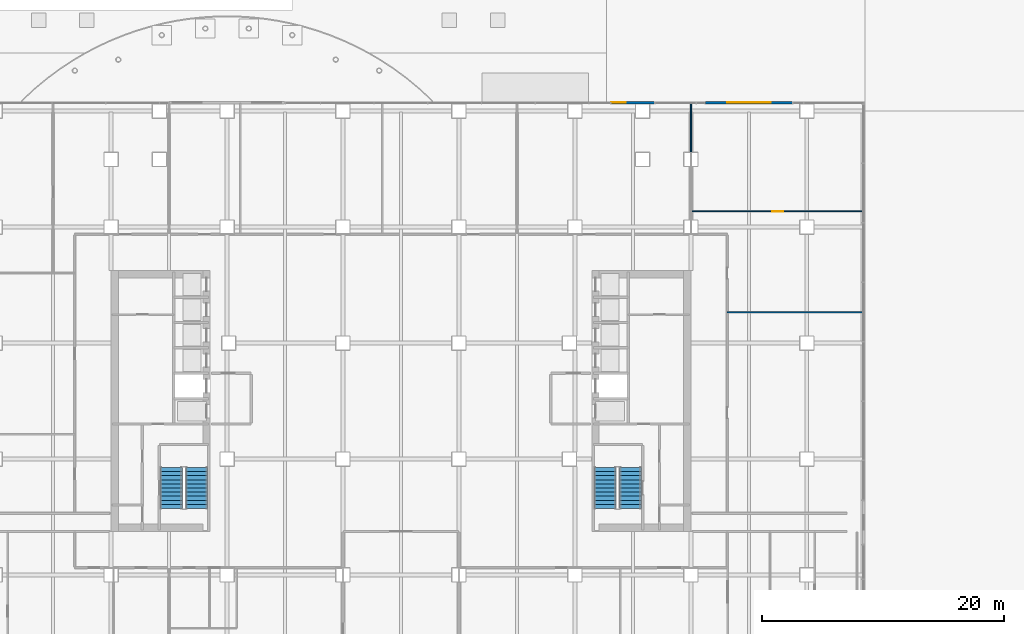
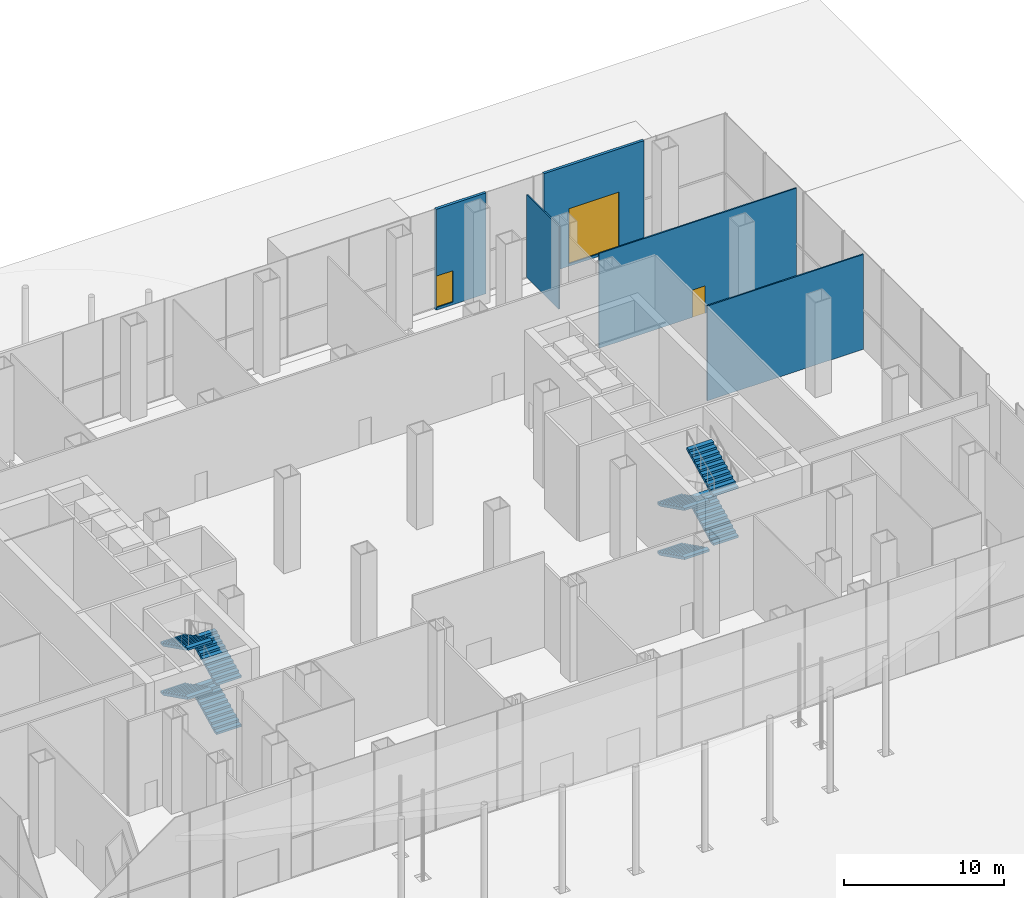
# One storey, part 30 of 36: 8 stair flights, 5 walls, 3 doors, 3 openings, 2 elements without a shape of their own.
"""IFC4 building model written with IfcOpenShell, lengths in metres."""

from ifc_helpers import new_model, si_unit, direction, frame, frame_2d, origin, place, context, subcontext, project, spatial, polyline, rectangle, outline, extrude, material, layer, layer_set, type_object, element, fill, aggregate, save


model = new_model("IFC4")

# Units and contexts
model_context = context("Model", 3, precision=1e-05, world=origin(), true_north=direction((0.0, 1.0)))
body_context = subcontext(model_context, "Body", "Model", "MODEL_VIEW")
ifc_project = project(units=[si_unit("LENGTHUNIT", "METRE"), si_unit("AREAUNIT", "SQUARE_METRE"), si_unit("VOLUMEUNIT", "CUBIC_METRE"), si_unit("PLANEANGLEUNIT", "RADIAN"), si_unit("MASSUNIT", "GRAM", prefix="KILO")], contexts=[model_context])

# Site, building, storey
site_placement = place(None, origin())
site = spatial("IfcSite", under=ifc_project, at=site_placement, CompositionType="ELEMENT")
building_placement = place(site_placement, origin())
building = spatial("IfcBuilding", under=site, at=building_placement, Name="Cobrizo Arcos Hotel Tower", CompositionType="ELEMENT")
storey_placement = place(building_placement, origin())
storey = spatial("IfcBuildingStorey", under=building, at=storey_placement, Name="L00", CompositionType="ELEMENT", Elevation=0.0)

# Wall, opening, door
ifc_material_1 = material(Name="Aluminium 6063-T6 anodised pale", Category="aluminium")
ifc_layer_1 = layer(ifc_material_1, 0.199951171875)
ifc_layer_set_1 = layer_set([ifc_layer_1], Name="EW-2 shopfront wall")
wall_type_1 = type_object("IfcWallType", Name="EW-2 shopfront wall", PredefinedType="SOLIDWALL", material=ifc_layer_set_1)
wall_1_placement = place(storey_placement, frame((32.39990234375, 24.699951171875, -0.199951171875), z_axis=(0.0, 0.0, 1.0), x_axis=(-1.0, 0.0, 0.0)))
wall_1 = element("IfcWall", 1, at=wall_1_placement, inside=storey, type_object=wall_type_1, Name="Entrance wall L00 N", PredefinedType="SOLIDWALL", context=body_context, shape_type="SweptSolid", body=[
    extrude(rectangle(XDim=7.199951171875, YDim=0.199951171875, at=frame_2d((3.60009765625, 0.0))), origin(), (0.0, 0.0, 1.0), 7.699951171875),
])
opening_1_placement = place(wall_1_placement, frame((1.800048828125, 0.0, 0.199951171875)))
opening_1 = element("IfcOpeningElement", 2, at=opening_1_placement, cuts=wall_1, Name="Opening E-02", PredefinedType="OPENING", context=body_context, shape_type="SweptSolid", body=[
    extrude(rectangle(XDim=3.60009765625, YDim=4.199951171875, at=frame_2d((1.800048828125, 2.10009765625))), frame((0.0, 0.112060546875, 0.0), z_axis=(0.0, -1.0, 0.0), x_axis=(1.0, 0.0, 0.0)), (0.0, 0.0, 1.0), 0.223876953125),
])
ifc_material_2 = material(Name="Aluminium 6063-T6 and clear laminated glass", Category="aluminium")
door_type_1 = type_object("IfcDoorType", Name="D-L1 loading roller door 3600x4200", OperationType="ROLLINGUP", PredefinedType="GATE", material=ifc_material_2)
door_1_placement = place(opening_1_placement, origin())
door_1 = element("IfcDoor", 3, at=door_1_placement, inside=storey, type_object=door_type_1, Name="Entrance wall L00 N door E-02", OperationType="ROLLINGUP", OverallHeight=4.199951171875, OverallWidth=3.60009765625, PredefinedType="GATE", context=body_context, shape_type="SweptSolid", body=[
    extrude(rectangle(XDim=3.60009765625, YDim=4.199951171875, at=frame_2d((1.800048828125, 2.10009765625))), frame((0.0, 0.02490234375, 0.0), z_axis=(0.0, -1.0, 0.0), x_axis=(1.0, 0.0, 0.0)), (0.0, 0.0, 1.0), 0.050048828125),
])
fill(opening_1, door_1)

wall_2_placement = place(storey_placement, frame((21.0, 24.699951171875, -0.199951171875), z_axis=(0.0, 0.0, 1.0), x_axis=(-1.0, 0.0, 0.0)))
wall_2 = element("IfcWall", 4, at=wall_2_placement, inside=storey, type_object=wall_type_1, Name="Entrance wall L00 N", PredefinedType="SOLIDWALL", context=body_context, shape_type="SweptSolid", body=[
    extrude(rectangle(XDim=3.60009765625, YDim=0.199951171875, at=frame_2d((1.800048828125, 0.0))), origin(), (0.0, 0.0, 1.0), 7.699951171875),
])
opening_2_placement = place(wall_2_placement, frame((2.39990234375, 0.0, 0.199951171875)))
opening_2 = element("IfcOpeningElement", 5, at=opening_2_placement, cuts=wall_2, Name="Opening E-03", PredefinedType="OPENING", context=body_context, shape_type="SweptSolid", body=[
    extrude(rectangle(XDim=1.199951171875, YDim=2.39990234375, at=frame_2d((0.60009765625, 1.199951171875))), frame((0.0, 0.112060546875, 0.0), z_axis=(0.0, -1.0, 0.0), x_axis=(1.0, 0.0, 0.0)), (0.0, 0.0, 1.0), 0.223876953125),
])
door_type_2 = type_object("IfcDoorType", Name="D-S1 staff door 1200x2400", OperationType="SINGLE_SWING_LEFT", PredefinedType="DOOR", material=ifc_material_2)
door_2_placement = place(opening_2_placement, origin())
door_2 = element("IfcDoor", 6, at=door_2_placement, inside=storey, type_object=door_type_2, Name="Entrance wall L00 N door E-03", OperationType="SINGLE_SWING_LEFT", OverallHeight=2.39990234375, OverallWidth=1.199951171875, PredefinedType="DOOR", context=body_context, shape_type="SweptSolid", body=[
    extrude(rectangle(XDim=1.199951171875, YDim=2.39990234375, at=frame_2d((0.60009765625, 1.199951171875))), frame((0.0, 0.02490234375, 0.0), z_axis=(0.0, -1.0, 0.0), x_axis=(1.0, 0.0, 0.0)), (0.0, 0.0, 1.0), 0.050048828125),
])
fill(opening_2, door_2)

# Wall
ifc_material_3 = material(Name="Gypsum board partition")
ifc_layer_2 = layer(ifc_material_3, 0.10009765625)
ifc_layer_set_2 = layer_set([ifc_layer_2], Name="Partition EI 30 100")
wall_type_2 = type_object("IfcWallType", Name="Partition EI 30 100", PredefinedType="PARTITIONING", material=ifc_layer_set_2)
wall_3_placement = place(storey_placement, frame((27.0, 7.35009765625, 0.0), z_axis=(0.0, 0.0, 1.0), x_axis=(1.0, 0.0, 0.0)))
element("IfcWall", 7, at=wall_3_placement, inside=storey, type_object=wall_type_2, Name="Partition 032", PredefinedType="PARTITIONING", context=body_context, shape_type="SweptSolid", body=[
    extrude(rectangle(XDim=11.280029296875, YDim=0.10009765625, at=frame_2d((5.64013671875, 0.0))), origin(), (0.0, 0.0, 1.0), 7.25),
])

# Wall, opening, door
wall_4_placement = place(storey_placement, frame((24.0, 15.699951171875, 0.0), z_axis=(0.0, 0.0, 1.0), x_axis=(1.0, 0.0, 0.0)))
wall_4 = element("IfcWall", 8, at=wall_4_placement, inside=storey, type_object=wall_type_2, Name="Partition 037", PredefinedType="PARTITIONING", context=body_context, shape_type="SweptSolid", body=[
    extrude(rectangle(XDim=14.280029296875, YDim=0.10009765625, at=frame_2d((7.14013671875, 0.0))), origin(), (0.0, 0.0, 1.0), 7.25),
])
opening_3_placement = place(wall_4_placement, frame((6.75, 0.0, 0.0)))
opening_3 = element("IfcOpeningElement", 9, at=opening_3_placement, cuts=wall_4, Name="Opening RD-20", PredefinedType="OPENING", context=body_context, shape_type="SweptSolid", body=[
    extrude(rectangle(XDim=0.89990234375, YDim=2.10009765625, at=frame_2d((0.449951171875, 1.050048828125))), frame((0.0, 0.06201171875, 0.0), z_axis=(0.0, -1.0, 0.0), x_axis=(1.0, 0.0, 0.0)), (0.0, 0.0, 1.0), 0.1240234375),
])
ifc_material_4 = material(Name="Timber door leaf", Category="wood")
door_type_3 = type_object("IfcDoorType", Name="Room door FD30 900x2100", OperationType="SINGLE_SWING_LEFT", PredefinedType="DOOR", material=ifc_material_4)
door_3_placement = place(opening_3_placement, origin())
door_3 = element("IfcDoor", 10, at=door_3_placement, inside=storey, type_object=door_type_3, Name="Door RD-20", OperationType="SINGLE_SWING_LEFT", OverallHeight=2.10009765625, OverallWidth=0.89990234375, PredefinedType="DOOR", context=body_context, shape_type="SweptSolid", body=[
    extrude(rectangle(XDim=0.89990234375, YDim=2.10009765625, at=frame_2d((0.449951171875, 1.050048828125))), frame((0.0, 0.02490234375, 0.0), z_axis=(0.0, -1.0, 0.0), x_axis=(1.0, 0.0, 0.0)), (0.0, 0.0, 1.0), 0.050048828125),
])
fill(opening_3, door_3)

# Wall
wall_5_placement = place(storey_placement, frame((24.0, 20.60009765625, 0.0), z_axis=(0.0, 0.0, 1.0), x_axis=(0.0, 1.0, 0.0)))
element("IfcWall", 11, at=wall_5_placement, inside=storey, type_object=wall_type_2, Name="Partition 078", PredefinedType="PARTITIONING", context=body_context, shape_type="SweptSolid", body=[
    extrude(rectangle(XDim=4.02978515625, YDim=0.10009765625, at=frame_2d((2.014892578125, 0.0))), origin(), (0.0, 0.0, 1.0), 6.322998046875),
])

# Stair, stair flights
ifc_material_5 = material(Name="Concrete f'c 40 MPa", Category="concrete")
stair_type = type_object("IfcStairType", Name="Exit stair", PredefinedType="HALF_TURN_STAIR", material=ifc_material_5)
stair_1_placement = place(storey_placement, origin())
stair_1 = element("IfcStair", 12, at=stair_1_placement, inside=storey, type_object=stair_type, Name="L00 Exit stair ST-W", PredefinedType="HALF_TURN_STAIR")
stair_flight_type = type_object("IfcStairFlightType", Name="Exit stair flight", PredefinedType="STRAIGHT", material=ifc_material_5)
stair_flight_1_placement = place(storey_placement, frame((-16.89990234375, -8.89990234375, 0.0), z_axis=(0.0, 0.0, 1.0), x_axis=(0.0, 1.0, 0.0)))
stair_flight_1 = element("IfcStairFlight", 13, at=stair_flight_1_placement, type_object=stair_flight_type, Name="ST-W flight 1", NumberOfRisers=11, NumberOfTreads=10, PredefinedType="STRAIGHT", RiserHeight=0.170454545, TreadLength=0.34, context=body_context, shape_type="SweptSolid", body=[
    extrude(outline(polyline([(0.0, 0.0), (0.0, 0.17041015625), (0.340087890625, 0.17041015625), (0.340087890625, 0.3408203125), (0.679931640625, 0.3408203125), (0.679931640625, 0.511474609375), (1.02001953125, 0.511474609375), (1.02001953125, 0.681884765625), (1.360107421875, 0.681884765625), (1.360107421875, 0.852294921875), (1.699951171875, 0.852294921875), (1.699951171875, 1.022705078125), (2.0400390625, 1.022705078125), (2.0400390625, 1.193115234375), (2.3798828125, 1.193115234375), (2.3798828125, 1.363525390625), (2.719970703125, 1.363525390625), (2.719970703125, 1.5341796875), (3.06005859375, 1.5341796875), (3.06005859375, 1.70458984375), (3.39990234375, 1.70458984375), (3.39990234375, 1.875), (3.39990234375, 1.536865234375), (0.33447265625, 0.0), (0.0, 0.0)])), frame((0.0, 0.89990234375, 0.0), z_axis=(0.0, -1.0, 0.0), x_axis=(1.0, 0.0, 0.0)), (0.0, 0.0, 1.0), 1.800048828125),
])
stair_flight_2_placement = place(storey_placement, frame((-19.0, -5.5, 1.875), z_axis=(0.0, 0.0, 1.0), x_axis=(0.0, -1.0, 0.0)))
stair_flight_2 = element("IfcStairFlight", 14, at=stair_flight_2_placement, type_object=stair_flight_type, Name="ST-W flight 2", NumberOfRisers=11, NumberOfTreads=10, PredefinedType="STRAIGHT", RiserHeight=0.170454545, TreadLength=0.34, context=body_context, shape_type="SweptSolid", body=[
    extrude(outline(polyline([(0.0, 0.0), (0.0, 0.17041015625), (0.340087890625, 0.17041015625), (0.340087890625, 0.3408203125), (0.679931640625, 0.3408203125), (0.679931640625, 0.511474609375), (1.02001953125, 0.511474609375), (1.02001953125, 0.681884765625), (1.360107421875, 0.681884765625), (1.360107421875, 0.852294921875), (1.699951171875, 0.852294921875), (1.699951171875, 1.022705078125), (2.0400390625, 1.022705078125), (2.0400390625, 1.193115234375), (2.3798828125, 1.193115234375), (2.3798828125, 1.363525390625), (2.719970703125, 1.363525390625), (2.719970703125, 1.5341796875), (3.06005859375, 1.5341796875), (3.06005859375, 1.70458984375), (3.39990234375, 1.70458984375), (3.39990234375, 1.875), (3.39990234375, 1.536865234375), (0.33447265625, 0.0), (0.0, 0.0)])), frame((0.0, 0.89990234375, 0.0), z_axis=(0.0, -1.0, 0.0), x_axis=(1.0, 0.0, 0.0)), (0.0, 0.0, 1.0), 1.800048828125),
])
stair_flight_3_placement = place(storey_placement, frame((-16.89990234375, -8.89990234375, 3.75), z_axis=(0.0, 0.0, 1.0), x_axis=(0.0, 1.0, 0.0)))
stair_flight_3 = element("IfcStairFlight", 15, at=stair_flight_3_placement, type_object=stair_flight_type, Name="ST-W flight 3", NumberOfRisers=11, NumberOfTreads=10, PredefinedType="STRAIGHT", RiserHeight=0.170454545, TreadLength=0.34, context=body_context, shape_type="SweptSolid", body=[
    extrude(outline(polyline([(0.0, 0.0), (0.0, 0.17041015625), (0.340087890625, 0.17041015625), (0.340087890625, 0.3408203125), (0.679931640625, 0.3408203125), (0.679931640625, 0.511474609375), (1.02001953125, 0.511474609375), (1.02001953125, 0.681884765625), (1.360107421875, 0.681884765625), (1.360107421875, 0.852294921875), (1.699951171875, 0.852294921875), (1.699951171875, 1.022705078125), (2.0400390625, 1.022705078125), (2.0400390625, 1.193115234375), (2.3798828125, 1.193115234375), (2.3798828125, 1.363525390625), (2.719970703125, 1.363525390625), (2.719970703125, 1.5341796875), (3.06005859375, 1.5341796875), (3.06005859375, 1.70458984375), (3.39990234375, 1.70458984375), (3.39990234375, 1.875), (3.39990234375, 1.536865234375), (0.33447265625, 0.0), (0.0, 0.0)])), frame((0.0, 0.89990234375, 0.0), z_axis=(0.0, -1.0, 0.0), x_axis=(1.0, 0.0, 0.0)), (0.0, 0.0, 1.0), 1.800048828125),
])
stair_flight_4_placement = place(storey_placement, frame((-19.0, -5.5, 5.625), z_axis=(0.0, 0.0, 1.0), x_axis=(0.0, -1.0, 0.0)))
stair_flight_4 = element("IfcStairFlight", 16, at=stair_flight_4_placement, type_object=stair_flight_type, Name="ST-W flight 4", NumberOfRisers=11, NumberOfTreads=10, PredefinedType="STRAIGHT", RiserHeight=0.170454545, TreadLength=0.34, context=body_context, shape_type="SweptSolid", body=[
    extrude(outline(polyline([(0.0, 0.0), (0.0, 0.17041015625), (0.340087890625, 0.17041015625), (0.340087890625, 0.3408203125), (0.679931640625, 0.3408203125), (0.679931640625, 0.511474609375), (1.02001953125, 0.511474609375), (1.02001953125, 0.681884765625), (1.360107421875, 0.681884765625), (1.360107421875, 0.852294921875), (1.699951171875, 0.852294921875), (1.699951171875, 1.022705078125), (2.0400390625, 1.022705078125), (2.0400390625, 1.193115234375), (2.3798828125, 1.193115234375), (2.3798828125, 1.363525390625), (2.719970703125, 1.363525390625), (2.719970703125, 1.5341796875), (3.06005859375, 1.5341796875), (3.06005859375, 1.70458984375), (3.39990234375, 1.70458984375), (3.39990234375, 1.875), (3.39990234375, 1.536865234375), (0.33447265625, 0.0), (0.0, 0.0)])), frame((0.0, 0.89990234375, 0.0), z_axis=(0.0, -1.0, 0.0), x_axis=(1.0, 0.0, 0.0)), (0.0, 0.0, 1.0), 1.800048828125),
])
aggregate(stair_1, [stair_flight_1, stair_flight_2, stair_flight_3, stair_flight_4])

stair_2_placement = place(storey_placement, origin())
stair_2 = element("IfcStair", 17, at=stair_2_placement, inside=storey, type_object=stair_type, Name="L00 Exit stair ST-E", PredefinedType="HALF_TURN_STAIR")
stair_flight_5_placement = place(storey_placement, frame((16.89990234375, -5.5, 0.0), z_axis=(0.0, 0.0, 1.0), x_axis=(0.0, -1.0, 0.0)))
stair_flight_5 = element("IfcStairFlight", 18, at=stair_flight_5_placement, type_object=stair_flight_type, Name="ST-E flight 1", NumberOfRisers=11, NumberOfTreads=10, PredefinedType="STRAIGHT", RiserHeight=0.170454545, TreadLength=0.34, context=body_context, shape_type="SweptSolid", body=[
    extrude(outline(polyline([(0.0, 0.0), (0.0, 0.17041015625), (0.340087890625, 0.17041015625), (0.340087890625, 0.3408203125), (0.679931640625, 0.3408203125), (0.679931640625, 0.511474609375), (1.02001953125, 0.511474609375), (1.02001953125, 0.681884765625), (1.360107421875, 0.681884765625), (1.360107421875, 0.852294921875), (1.699951171875, 0.852294921875), (1.699951171875, 1.022705078125), (2.0400390625, 1.022705078125), (2.0400390625, 1.193115234375), (2.3798828125, 1.193115234375), (2.3798828125, 1.363525390625), (2.719970703125, 1.363525390625), (2.719970703125, 1.5341796875), (3.06005859375, 1.5341796875), (3.06005859375, 1.70458984375), (3.39990234375, 1.70458984375), (3.39990234375, 1.875), (3.39990234375, 1.536865234375), (0.33447265625, 0.0), (0.0, 0.0)])), frame((0.0, 0.89990234375, 0.0), z_axis=(0.0, -1.0, 0.0), x_axis=(1.0, 0.0, 0.0)), (0.0, 0.0, 1.0), 1.800048828125),
])
stair_flight_6_placement = place(storey_placement, frame((19.0, -8.89990234375, 1.875), z_axis=(0.0, 0.0, 1.0), x_axis=(0.0, 1.0, 0.0)))
stair_flight_6 = element("IfcStairFlight", 19, at=stair_flight_6_placement, type_object=stair_flight_type, Name="ST-E flight 2", NumberOfRisers=11, NumberOfTreads=10, PredefinedType="STRAIGHT", RiserHeight=0.170454545, TreadLength=0.34, context=body_context, shape_type="SweptSolid", body=[
    extrude(outline(polyline([(0.0, 0.0), (0.0, 0.17041015625), (0.340087890625, 0.17041015625), (0.340087890625, 0.3408203125), (0.679931640625, 0.3408203125), (0.679931640625, 0.511474609375), (1.02001953125, 0.511474609375), (1.02001953125, 0.681884765625), (1.360107421875, 0.681884765625), (1.360107421875, 0.852294921875), (1.699951171875, 0.852294921875), (1.699951171875, 1.022705078125), (2.0400390625, 1.022705078125), (2.0400390625, 1.193115234375), (2.3798828125, 1.193115234375), (2.3798828125, 1.363525390625), (2.719970703125, 1.363525390625), (2.719970703125, 1.5341796875), (3.06005859375, 1.5341796875), (3.06005859375, 1.70458984375), (3.39990234375, 1.70458984375), (3.39990234375, 1.875), (3.39990234375, 1.536865234375), (0.33447265625, 0.0), (0.0, 0.0)])), frame((0.0, 0.89990234375, 0.0), z_axis=(0.0, -1.0, 0.0), x_axis=(1.0, 0.0, 0.0)), (0.0, 0.0, 1.0), 1.800048828125),
])
stair_flight_7_placement = place(storey_placement, frame((16.89990234375, -5.5, 3.75), z_axis=(0.0, 0.0, 1.0), x_axis=(0.0, -1.0, 0.0)))
stair_flight_7 = element("IfcStairFlight", 20, at=stair_flight_7_placement, type_object=stair_flight_type, Name="ST-E flight 3", NumberOfRisers=11, NumberOfTreads=10, PredefinedType="STRAIGHT", RiserHeight=0.170454545, TreadLength=0.34, context=body_context, shape_type="SweptSolid", body=[
    extrude(outline(polyline([(0.0, 0.0), (0.0, 0.17041015625), (0.340087890625, 0.17041015625), (0.340087890625, 0.3408203125), (0.679931640625, 0.3408203125), (0.679931640625, 0.511474609375), (1.02001953125, 0.511474609375), (1.02001953125, 0.681884765625), (1.360107421875, 0.681884765625), (1.360107421875, 0.852294921875), (1.699951171875, 0.852294921875), (1.699951171875, 1.022705078125), (2.0400390625, 1.022705078125), (2.0400390625, 1.193115234375), (2.3798828125, 1.193115234375), (2.3798828125, 1.363525390625), (2.719970703125, 1.363525390625), (2.719970703125, 1.5341796875), (3.06005859375, 1.5341796875), (3.06005859375, 1.70458984375), (3.39990234375, 1.70458984375), (3.39990234375, 1.875), (3.39990234375, 1.536865234375), (0.33447265625, 0.0), (0.0, 0.0)])), frame((0.0, 0.89990234375, 0.0), z_axis=(0.0, -1.0, 0.0), x_axis=(1.0, 0.0, 0.0)), (0.0, 0.0, 1.0), 1.800048828125),
])
stair_flight_8_placement = place(storey_placement, frame((19.0, -8.89990234375, 5.625), z_axis=(0.0, 0.0, 1.0), x_axis=(0.0, 1.0, 0.0)))
stair_flight_8 = element("IfcStairFlight", 21, at=stair_flight_8_placement, type_object=stair_flight_type, Name="ST-E flight 4", NumberOfRisers=11, NumberOfTreads=10, PredefinedType="STRAIGHT", RiserHeight=0.170454545, TreadLength=0.34, context=body_context, shape_type="SweptSolid", body=[
    extrude(outline(polyline([(0.0, 0.0), (0.0, 0.17041015625), (0.340087890625, 0.17041015625), (0.340087890625, 0.3408203125), (0.679931640625, 0.3408203125), (0.679931640625, 0.511474609375), (1.02001953125, 0.511474609375), (1.02001953125, 0.681884765625), (1.360107421875, 0.681884765625), (1.360107421875, 0.852294921875), (1.699951171875, 0.852294921875), (1.699951171875, 1.022705078125), (2.0400390625, 1.022705078125), (2.0400390625, 1.193115234375), (2.3798828125, 1.193115234375), (2.3798828125, 1.363525390625), (2.719970703125, 1.363525390625), (2.719970703125, 1.5341796875), (3.06005859375, 1.5341796875), (3.06005859375, 1.70458984375), (3.39990234375, 1.70458984375), (3.39990234375, 1.875), (3.39990234375, 1.536865234375), (0.33447265625, 0.0), (0.0, 0.0)])), frame((0.0, 0.89990234375, 0.0), z_axis=(0.0, -1.0, 0.0), x_axis=(1.0, 0.0, 0.0)), (0.0, 0.0, 1.0), 1.800048828125),
])
aggregate(stair_2, [stair_flight_5, stair_flight_6, stair_flight_7, stair_flight_8])

save(model, "model.ifc")
